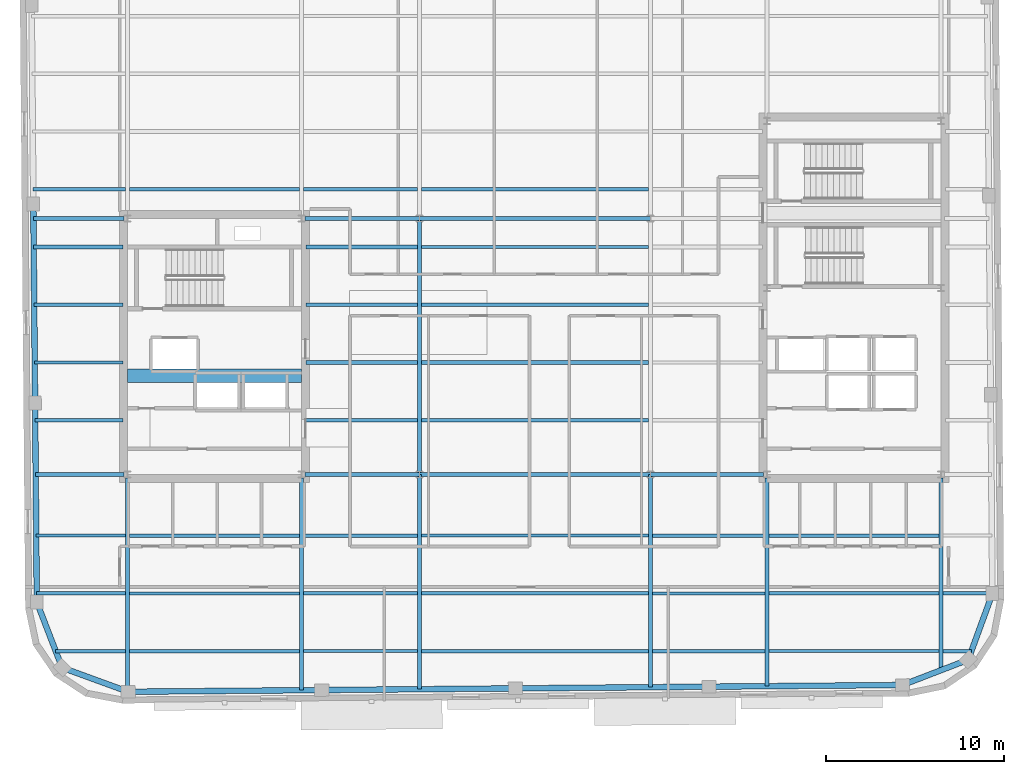
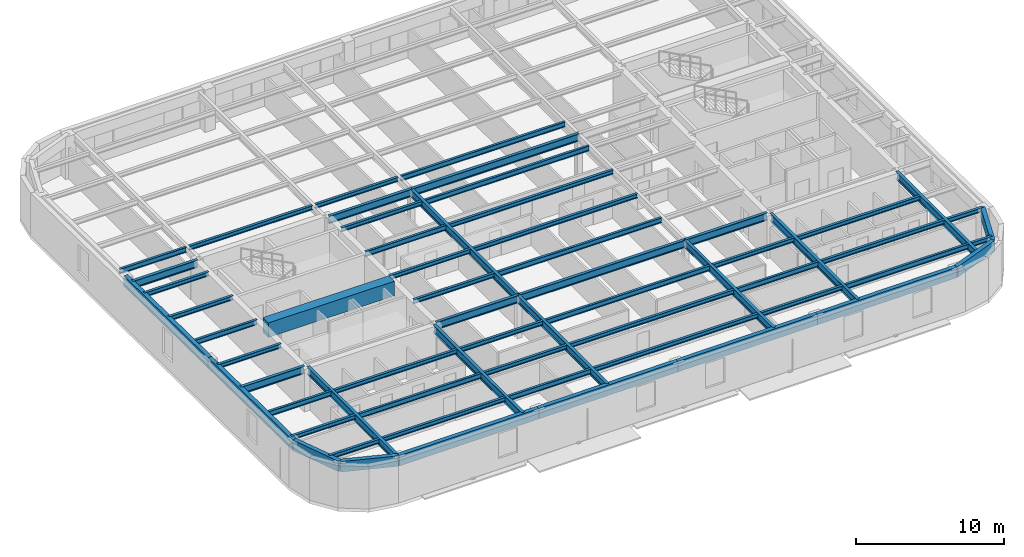
# One storey, part 4 of 13: 61 beams.
"""IFC4 building model written with IfcOpenShell, lengths in metres."""

from ifc_helpers import new_model, si_unit, direction, frame, origin, origin_2d, place, context, subcontext, project, spatial, rectangle, hollow_rectangle, i_section, extrude, material, material_profile, profile_set, type_object, element, save


model = new_model("IFC4")

# Units and contexts
model_context = context("Model", 3, precision=1e-05, world=origin(), true_north=direction((0.0, 1.0)))
body_context = subcontext(model_context, "Body", "Model", "MODEL_VIEW")
ifc_project = project(units=[si_unit("LENGTHUNIT", "METRE"), si_unit("AREAUNIT", "SQUARE_METRE"), si_unit("VOLUMEUNIT", "CUBIC_METRE"), si_unit("PLANEANGLEUNIT", "RADIAN"), si_unit("MASSUNIT", "GRAM", prefix="KILO")], contexts=[model_context])

# Site, building, storey
site_placement = place(None, origin())
site = spatial("IfcSite", under=ifc_project, at=site_placement, CompositionType="ELEMENT")
building_placement = place(site_placement, origin())
building = spatial("IfcBuilding", under=site, at=building_placement, Name="Kolvaren Arena Tower", CompositionType="ELEMENT")
storey_placement = place(building_placement, frame((0.0, 0.0, 301.14990234375)))
storey = spatial("IfcBuildingStorey", under=building, at=storey_placement, Name="L74", CompositionType="ELEMENT", Elevation=301.14990234375)

# Beams
ifc_material_1 = material(Name="Steel CSA G40.21 350W", Category="steel")
ifc_material_profile_1 = material_profile(ifc_material_1, i_section(OverallWidth=0.180908203125, OverallDepth=0.4169921875, WebThickness=0.010986328125, FlangeThickness=0.018310546875, FilletRadius=0.011962890625, at=origin_2d()), Name="W410x85")
ifc_profile_set_1 = profile_set([ifc_material_profile_1], Name="Steel CSA G40.21 350W")
beam_type_1 = type_object("IfcBeamType", Name="BEAM-F3", PredefinedType="BEAM", material=ifc_profile_set_1)
beam_1_placement = place(storey_placement, frame((24.464111328125, 9.5, 3.271484375), z_axis=(1.0, 0.0, 0.0), x_axis=(0.0, 1.0, 0.0)))
element("IfcBeam", 1, at=beam_1_placement, inside=storey, type_object=beam_type_1, Name="Composite Floor Beam (L74)", PredefinedType="BEAM", context=body_context, shape_type="SweptSolid", body=[
    extrude(i_section(OverallWidth=0.180908203125, OverallDepth=0.4169921875, WebThickness=0.010986328125, FlangeThickness=0.018310546875, FilletRadius=0.011962890625, at=origin_2d()), origin(), (0.0, 0.0, 1.0), 6.421875),
])
for number, where, z_axis, x_axis, name in (
    (2, (50.6640625, 9.5, 3.271484375), (1.0, 0.0, 0.0), (0.0, 1.0, 0.0), "Composite Floor Beam (L74)"),
    (3, (14.6640625, 12.75, 3.271484375), (1.0, 0.0, 0.0), (0.0, 1.0, 0.0), "Composite Floor Beam (L74)"),
):
    element("IfcBeam", number, at=place(storey_placement, frame(where, z_axis=z_axis, x_axis=x_axis)), inside=storey, type_object=beam_type_1, Name=name, PredefinedType="BEAM", context=body_context, shape_type="SweptSolid", body=[
        extrude(i_section(OverallWidth=0.180908203125, OverallDepth=0.4169921875, WebThickness=0.010986328125, FlangeThickness=0.018310546875, FilletRadius=0.011962890625, at=origin_2d()), origin(), (0.0, 0.0, 1.0), 9.572021484375),
    ])
beam_2_placement = place(storey_placement, frame((44.114013671875, 12.75, 3.271484375), z_axis=(1.0, 0.0, 0.0), x_axis=(0.0, 1.0, 0.0)))
element("IfcBeam", 4, at=beam_2_placement, inside=storey, type_object=beam_type_1, Name="Composite Floor Beam (L74)", PredefinedType="BEAM", context=body_context, shape_type="SweptSolid", body=[
    extrude(i_section(OverallWidth=0.180908203125, OverallDepth=0.4169921875, WebThickness=0.010986328125, FlangeThickness=0.018310546875, FilletRadius=0.011962890625, at=origin_2d()), origin(), (0.0, 0.0, 1.0), 6.322021484375),
])
beam_3_placement = place(storey_placement, frame((9.4150390625, 16.0, 3.271484375), z_axis=(1.0, 0.0, 0.0), x_axis=(0.0, 1.0, 0.0)))
element("IfcBeam", 5, at=beam_3_placement, inside=storey, type_object=beam_type_1, Name="Composite Floor Beam (L74)", PredefinedType="BEAM", context=body_context, shape_type="SweptSolid", body=[
    extrude(i_section(OverallWidth=0.180908203125, OverallDepth=0.4169921875, WebThickness=0.010986328125, FlangeThickness=0.018310546875, FilletRadius=0.011962890625, at=origin_2d()), origin(), (0.0, 0.0, 1.0), 5.02099609375),
])
for number, where, z_axis, x_axis, name in (
    (6, (31.114013671875, 16.0, 3.271484375), (1.0, 0.0, 0.0), (0.0, 1.0, 0.0), "Composite Floor Beam (L74)"),
    (7, (31.114013671875, 22.5, 3.271484375), (1.0, 0.0, 0.0), (0.0, 1.0, 0.0), "Composite Floor Beam (L74)"),
):
    element("IfcBeam", number, at=place(storey_placement, frame(where, z_axis=z_axis, x_axis=x_axis)), inside=storey, type_object=beam_type_1, Name=name, PredefinedType="BEAM", context=body_context, shape_type="SweptSolid", body=[
        extrude(i_section(OverallWidth=0.180908203125, OverallDepth=0.4169921875, WebThickness=0.010986328125, FlangeThickness=0.018310546875, FilletRadius=0.011962890625, at=origin_2d()), origin(), (0.0, 0.0, 1.0), 12.77197265625),
    ])
beam_4_placement = place(storey_placement, frame((9.330078125, 25.75, 3.271484375), z_axis=(1.0, 0.0, 0.0), x_axis=(0.0, 1.0, 0.0)))
element("IfcBeam", 8, at=beam_4_placement, inside=storey, type_object=beam_type_1, Name="Composite Floor Beam (L74)", PredefinedType="BEAM", context=body_context, shape_type="SweptSolid", body=[
    extrude(i_section(OverallWidth=0.180908203125, OverallDepth=0.4169921875, WebThickness=0.010986328125, FlangeThickness=0.018310546875, FilletRadius=0.011962890625, at=origin_2d()), origin(), (0.0, 0.0, 1.0), 4.974853515625),
])
beam_5_placement = place(storey_placement, frame((24.594970703125, 29.0, 3.271484375), z_axis=(1.0, 0.0, 0.0), x_axis=(0.0, 1.0, 0.0)))
element("IfcBeam", 9, at=beam_5_placement, inside=storey, type_object=beam_type_1, Name="Composite Floor Beam (L74)", PredefinedType="BEAM", context=body_context, shape_type="SweptSolid", body=[
    extrude(i_section(OverallWidth=0.180908203125, OverallDepth=0.4169921875, WebThickness=0.010986328125, FlangeThickness=0.018310546875, FilletRadius=0.011962890625, at=origin_2d()), origin(), (0.0, 0.0, 1.0), 6.291015625),
])
beam_6_placement = place(storey_placement, frame((31.114013671875, 32.25, 3.271484375), z_axis=(1.0, 0.0, 0.0), x_axis=(0.0, 1.0, 0.0)))
element("IfcBeam", 10, at=beam_6_placement, inside=storey, type_object=beam_type_1, Name="Composite Floor Beam (L74)", PredefinedType="BEAM", context=body_context, shape_type="SweptSolid", body=[
    extrude(i_section(OverallWidth=0.180908203125, OverallDepth=0.4169921875, WebThickness=0.010986328125, FlangeThickness=0.018310546875, FilletRadius=0.011962890625, at=origin_2d()), origin(), (0.0, 0.0, 1.0), 12.77197265625),
])
beam_7_placement = place(storey_placement, frame((9.244873046875, 35.5, 3.271484375), z_axis=(1.0, 0.0, 0.0), x_axis=(0.0, 1.0, 0.0)))
element("IfcBeam", 11, at=beam_7_placement, inside=storey, type_object=beam_type_1, Name="Composite Floor Beam (L74)", PredefinedType="BEAM", context=body_context, shape_type="SweptSolid", body=[
    extrude(i_section(OverallWidth=0.180908203125, OverallDepth=0.4169921875, WebThickness=0.010986328125, FlangeThickness=0.018310546875, FilletRadius=0.011962890625, at=origin_2d()), origin(), (0.0, 0.0, 1.0), 5.191162109375),
])
beam_8_placement = place(storey_placement, frame((31.114013671875, 35.5, 3.271484375), z_axis=(1.0, 0.0, 0.0), x_axis=(0.0, 1.0, 0.0)))
element("IfcBeam", 12, at=beam_8_placement, inside=storey, type_object=beam_type_1, Name="Composite Floor Beam (L74)", PredefinedType="BEAM", context=body_context, shape_type="SweptSolid", body=[
    extrude(i_section(OverallWidth=0.180908203125, OverallDepth=0.4169921875, WebThickness=0.010986328125, FlangeThickness=0.018310546875, FilletRadius=0.011962890625, at=origin_2d()), origin(), (0.0, 0.0, 1.0), 12.77197265625),
])
ifc_material_2 = material(Name="Concrete 60 MPa", Category="concrete")
ifc_material_profile_2 = material_profile(ifc_material_2, rectangle(XDim=0.75, YDim=1.199951171875, at=origin_2d()), Name="RC-750x1200")
ifc_profile_set_2 = profile_set([ifc_material_profile_2], Name="Concrete 60 MPa")
beam_type_2 = type_object("IfcBeamType", Name="CB-CORE-2", PredefinedType="BEAM", material=ifc_profile_set_2)
beam_9_placement = place(storey_placement, frame((14.550048828125, 25.0, 3.150146484375), z_axis=(1.0, 0.0, 0.0), x_axis=(0.0, 1.0, 0.0)))
element("IfcBeam", 13, at=beam_9_placement, inside=storey, type_object=beam_type_2, Name="West Core Coupling Beam (L74)", PredefinedType="BEAM", context=body_context, shape_type="SweptSolid", body=[
    extrude(rectangle(XDim=0.75, YDim=1.199951171875, at=origin_2d()), origin(), (0.0, 0.0, 1.0), 9.800048828125),
])
ifc_material_profile_3 = material_profile(ifc_material_1, i_section(OverallWidth=0.22802734375, OverallDepth=0.615966796875, WebThickness=0.013916015625, FlangeThickness=0.02490234375, FilletRadius=0.014892578125, at=origin_2d()), Name="W610x174")
ifc_profile_set_3 = profile_set([ifc_material_profile_3], Name="Steel CSA G40.21 350W")
beam_type_3 = type_object("IfcBeamType", Name="GIRD-T3", PredefinedType="BEAM", material=ifc_profile_set_3)
beam_10_placement = place(storey_placement, frame((9.385009765625, 19.449951171875, 3.172119140625), z_axis=(1.0, 0.0, 0.0), x_axis=(0.0, 1.0, 0.0)))
element("IfcBeam", 14, at=beam_10_placement, inside=storey, type_object=beam_type_3, Name="Primary Floor Girder (L74)", PredefinedType="BEAM", context=body_context, shape_type="SweptSolid", body=[
    extrude(i_section(OverallWidth=0.22802734375, OverallDepth=0.615966796875, WebThickness=0.013916015625, FlangeThickness=0.02490234375, FilletRadius=0.014892578125, at=origin_2d()), origin(), (0.0, 0.0, 1.0), 4.9599609375),
])
beam_11_placement = place(storey_placement, frame((24.554931640625, 19.449951171875, 3.172119140625), z_axis=(1.0, 0.0, 0.0), x_axis=(0.0, 1.0, 0.0)))
element("IfcBeam", 15, at=beam_11_placement, inside=storey, type_object=beam_type_3, Name="Primary Floor Girder (L74)", PredefinedType="BEAM", context=body_context, shape_type="SweptSolid", body=[
    extrude(i_section(OverallWidth=0.22802734375, OverallDepth=0.615966796875, WebThickness=0.013916015625, FlangeThickness=0.02490234375, FilletRadius=0.014892578125, at=origin_2d()), origin(), (0.0, 0.0, 1.0), 6.445068359375),
])
beam_12_placement = place(storey_placement, frame((31.0, 19.449951171875, 3.172119140625), z_axis=(1.0, 0.0, 0.0), x_axis=(0.0, 1.0, 0.0)))
element("IfcBeam", 16, at=beam_12_placement, inside=storey, type_object=beam_type_3, Name="Primary Floor Girder (L74)", PredefinedType="BEAM", context=body_context, shape_type="SweptSolid", body=[
    extrude(i_section(OverallWidth=0.22802734375, OverallDepth=0.615966796875, WebThickness=0.013916015625, FlangeThickness=0.02490234375, FilletRadius=0.014892578125, at=origin_2d()), origin(), (0.0, 0.0, 1.0), 13.0),
])
beam_13_placement = place(storey_placement, frame((44.0, 19.449951171875, 3.172119140625), z_axis=(1.0, 0.0, 0.0), x_axis=(0.0, 1.0, 0.0)))
element("IfcBeam", 17, at=beam_13_placement, inside=storey, type_object=beam_type_3, Name="Primary Floor Girder (L74)", PredefinedType="BEAM", context=body_context, shape_type="SweptSolid", body=[
    extrude(i_section(OverallWidth=0.22802734375, OverallDepth=0.615966796875, WebThickness=0.013916015625, FlangeThickness=0.02490234375, FilletRadius=0.014892578125, at=origin_2d()), origin(), (0.0, 0.0, 1.0), 6.344970703125),
])
beam_14_placement = place(storey_placement, frame((9.25927734375, 33.85009765625, 3.172119140625), z_axis=(1.0, 0.0, 0.0), x_axis=(0.0, 1.0, 0.0)))
element("IfcBeam", 18, at=beam_14_placement, inside=storey, type_object=beam_type_3, Name="Primary Floor Girder (L74)", PredefinedType="BEAM", context=body_context, shape_type="SweptSolid", body=[
    extrude(i_section(OverallWidth=0.22802734375, OverallDepth=0.615966796875, WebThickness=0.013916015625, FlangeThickness=0.02490234375, FilletRadius=0.014892578125, at=origin_2d()), origin(), (0.0, 0.0, 1.0), 5.085693359375),
])
beam_15_placement = place(storey_placement, frame((24.554931640625, 33.85009765625, 3.172119140625), z_axis=(1.0, 0.0, 0.0), x_axis=(0.0, 1.0, 0.0)))
element("IfcBeam", 19, at=beam_15_placement, inside=storey, type_object=beam_type_3, Name="Primary Floor Girder (L74)", PredefinedType="BEAM", context=body_context, shape_type="SweptSolid", body=[
    extrude(i_section(OverallWidth=0.22802734375, OverallDepth=0.615966796875, WebThickness=0.013916015625, FlangeThickness=0.02490234375, FilletRadius=0.014892578125, at=origin_2d()), origin(), (0.0, 0.0, 1.0), 6.445068359375),
])
beam_16_placement = place(storey_placement, frame((31.0, 33.85009765625, 3.172119140625), z_axis=(1.0, 0.0, 0.0), x_axis=(0.0, 1.0, 0.0)))
element("IfcBeam", 20, at=beam_16_placement, inside=storey, type_object=beam_type_3, Name="Primary Floor Girder (L74)", PredefinedType="BEAM", context=body_context, shape_type="SweptSolid", body=[
    extrude(i_section(OverallWidth=0.22802734375, OverallDepth=0.615966796875, WebThickness=0.013916015625, FlangeThickness=0.02490234375, FilletRadius=0.014892578125, at=origin_2d()), origin(), (0.0, 0.0, 1.0), 13.0),
])
beam_17_placement = place(storey_placement, frame((14.550048828125, 7.225830078125, 3.172119140625), z_axis=(0.0, 1.0, 0.0), x_axis=(-1.0, 0.0, 0.0)))
element("IfcBeam", 21, at=beam_17_placement, inside=storey, type_object=beam_type_3, Name="Primary Floor Girder (L74)", PredefinedType="BEAM", context=body_context, shape_type="SweptSolid", body=[
    extrude(i_section(OverallWidth=0.22802734375, OverallDepth=0.615966796875, WebThickness=0.013916015625, FlangeThickness=0.02490234375, FilletRadius=0.014892578125, at=origin_2d()), origin(), (0.0, 0.0, 1.0), 12.019287109375),
])
beam_18_placement = place(storey_placement, frame((24.35009765625, 7.295654296875, 3.172119140625), z_axis=(0.0, 1.0, 0.0), x_axis=(-1.0, 0.0, 0.0)))
element("IfcBeam", 22, at=beam_18_placement, inside=storey, type_object=beam_type_3, Name="Primary Floor Girder (L74)", PredefinedType="BEAM", context=body_context, shape_type="SweptSolid", body=[
    extrude(i_section(OverallWidth=0.22802734375, OverallDepth=0.615966796875, WebThickness=0.013916015625, FlangeThickness=0.02490234375, FilletRadius=0.014892578125, at=origin_2d()), origin(), (0.0, 0.0, 1.0), 11.949462890625),
])
beam_19_placement = place(storey_placement, frame((31.0, 7.353759765625, 3.172119140625), z_axis=(0.0, 1.0, 0.0), x_axis=(-1.0, 0.0, 0.0)))
element("IfcBeam", 23, at=beam_19_placement, inside=storey, type_object=beam_type_3, Name="Primary Floor Girder (L74)", PredefinedType="BEAM", context=body_context, shape_type="SweptSolid", body=[
    extrude(i_section(OverallWidth=0.22802734375, OverallDepth=0.615966796875, WebThickness=0.013916015625, FlangeThickness=0.02490234375, FilletRadius=0.014892578125, at=origin_2d()), origin(), (0.0, 0.0, 1.0), 12.09619140625),
])
beam_20_placement = place(storey_placement, frame((31.0, 19.449951171875, 3.172119140625), z_axis=(0.0, 1.0, 0.0), x_axis=(-1.0, 0.0, 0.0)))
element("IfcBeam", 24, at=beam_20_placement, inside=storey, type_object=beam_type_3, Name="Primary Floor Girder (L74)", PredefinedType="BEAM", context=body_context, shape_type="SweptSolid", body=[
    extrude(i_section(OverallWidth=0.22802734375, OverallDepth=0.615966796875, WebThickness=0.013916015625, FlangeThickness=0.02490234375, FilletRadius=0.014892578125, at=origin_2d()), origin(), (0.0, 0.0, 1.0), 14.400146484375),
])
beam_21_placement = place(storey_placement, frame((44.0, 7.46728515625, 3.172119140625), z_axis=(0.0, 1.0, 0.0), x_axis=(-1.0, 0.0, 0.0)))
element("IfcBeam", 25, at=beam_21_placement, inside=storey, type_object=beam_type_3, Name="Primary Floor Girder (L74)", PredefinedType="BEAM", context=body_context, shape_type="SweptSolid", body=[
    extrude(i_section(OverallWidth=0.22802734375, OverallDepth=0.615966796875, WebThickness=0.013916015625, FlangeThickness=0.02490234375, FilletRadius=0.014892578125, at=origin_2d()), origin(), (0.0, 0.0, 1.0), 11.982666015625),
])
beam_22_placement = place(storey_placement, frame((50.550048828125, 7.5244140625, 3.172119140625), z_axis=(0.0, 1.0, 0.0), x_axis=(-1.0, 0.0, 0.0)))
element("IfcBeam", 26, at=beam_22_placement, inside=storey, type_object=beam_type_3, Name="Primary Floor Girder (L74)", PredefinedType="BEAM", context=body_context, shape_type="SweptSolid", body=[
    extrude(i_section(OverallWidth=0.22802734375, OverallDepth=0.615966796875, WebThickness=0.013916015625, FlangeThickness=0.02490234375, FilletRadius=0.014892578125, at=origin_2d()), origin(), (0.0, 0.0, 1.0), 11.720703125),
])
beam_23_placement = place(storey_placement, frame((60.35009765625, 8.4228515625, 3.172119140625), z_axis=(0.0, 1.0, 0.0), x_axis=(-1.0, 0.0, 0.0)))
element("IfcBeam", 27, at=beam_23_placement, inside=storey, type_object=beam_type_3, Name="Primary Floor Girder (L74)", PredefinedType="BEAM", context=body_context, shape_type="SweptSolid", body=[
    extrude(i_section(OverallWidth=0.22802734375, OverallDepth=0.615966796875, WebThickness=0.013916015625, FlangeThickness=0.02490234375, FilletRadius=0.014892578125, at=origin_2d()), origin(), (0.0, 0.0, 1.0), 10.822265625),
])
ifc_material_profile_4 = material_profile(ifc_material_1, i_section(OverallWidth=0.202880859375, OverallDepth=0.346923828125, WebThickness=0.0078125, FlangeThickness=0.013427734375, FilletRadius=0.010986328125, at=origin_2d()), Name="W360x64")
ifc_profile_set_4 = profile_set([ifc_material_profile_4], Name="Steel CSA G40.21 350W")
beam_type_4 = type_object("IfcBeamType", Name="JOIST-01", PredefinedType="JOIST", material=ifc_profile_set_4)
beam_24_placement = place(storey_placement, frame((10.5126953125, 9.5, 3.306640625), z_axis=(1.0, 0.0, 0.0), x_axis=(0.0, 1.0, 0.0)))
element("IfcBeam", 28, at=beam_24_placement, inside=storey, type_object=beam_type_4, Name="Composite Floor Joist (L74)", PredefinedType="JOIST", context=body_context, shape_type="SweptSolid", body=[
    extrude(i_section(OverallWidth=0.202880859375, OverallDepth=0.346923828125, WebThickness=0.0078125, FlangeThickness=0.013427734375, FilletRadius=0.010986328125, at=origin_2d()), origin(), (0.0, 0.0, 1.0), 3.92333984375),
])
beam_25_placement = place(storey_placement, frame((14.6640625, 9.5, 3.306640625), z_axis=(1.0, 0.0, 0.0), x_axis=(0.0, 1.0, 0.0)))
element("IfcBeam", 29, at=beam_25_placement, inside=storey, type_object=beam_type_4, Name="Composite Floor Joist (L74)", PredefinedType="JOIST", context=body_context, shape_type="SweptSolid", body=[
    extrude(i_section(OverallWidth=0.202880859375, OverallDepth=0.346923828125, WebThickness=0.0078125, FlangeThickness=0.013427734375, FilletRadius=0.010986328125, at=origin_2d()), origin(), (0.0, 0.0, 1.0), 9.572021484375),
])
beam_26_placement = place(storey_placement, frame((31.114013671875, 9.5, 3.306640625), z_axis=(1.0, 0.0, 0.0), x_axis=(0.0, 1.0, 0.0)))
element("IfcBeam", 30, at=beam_26_placement, inside=storey, type_object=beam_type_4, Name="Composite Floor Joist (L74)", PredefinedType="JOIST", context=body_context, shape_type="SweptSolid", body=[
    extrude(i_section(OverallWidth=0.202880859375, OverallDepth=0.346923828125, WebThickness=0.0078125, FlangeThickness=0.013427734375, FilletRadius=0.010986328125, at=origin_2d()), origin(), (0.0, 0.0, 1.0), 12.77197265625),
])
beam_27_placement = place(storey_placement, frame((44.114013671875, 9.5, 3.306640625), z_axis=(1.0, 0.0, 0.0), x_axis=(0.0, 1.0, 0.0)))
element("IfcBeam", 31, at=beam_27_placement, inside=storey, type_object=beam_type_4, Name="Composite Floor Joist (L74)", PredefinedType="JOIST", context=body_context, shape_type="SweptSolid", body=[
    extrude(i_section(OverallWidth=0.202880859375, OverallDepth=0.346923828125, WebThickness=0.0078125, FlangeThickness=0.013427734375, FilletRadius=0.010986328125, at=origin_2d()), origin(), (0.0, 0.0, 1.0), 6.322021484375),
])
beam_28_placement = place(storey_placement, frame((60.464111328125, 9.5, 3.306640625), z_axis=(1.0, 0.0, 0.0), x_axis=(0.0, 1.0, 0.0)))
element("IfcBeam", 32, at=beam_28_placement, inside=storey, type_object=beam_type_4, Name="Composite Floor Joist (L74)", PredefinedType="JOIST", context=body_context, shape_type="SweptSolid", body=[
    extrude(i_section(OverallWidth=0.202880859375, OverallDepth=0.346923828125, WebThickness=0.0078125, FlangeThickness=0.013427734375, FilletRadius=0.010986328125, at=origin_2d()), origin(), (0.0, 0.0, 1.0), 1.60009765625),
])
beam_29_placement = place(storey_placement, frame((9.443359375, 12.75, 3.306640625), z_axis=(1.0, 0.0, 0.0), x_axis=(0.0, 1.0, 0.0)))
element("IfcBeam", 33, at=beam_29_placement, inside=storey, type_object=beam_type_4, Name="Composite Floor Joist (L74)", PredefinedType="JOIST", context=body_context, shape_type="SweptSolid", body=[
    extrude(i_section(OverallWidth=0.202880859375, OverallDepth=0.346923828125, WebThickness=0.0078125, FlangeThickness=0.013427734375, FilletRadius=0.010986328125, at=origin_2d()), origin(), (0.0, 0.0, 1.0), 4.99267578125),
])
beam_30_placement = place(storey_placement, frame((24.464111328125, 12.75, 3.306640625), z_axis=(1.0, 0.0, 0.0), x_axis=(0.0, 1.0, 0.0)))
element("IfcBeam", 34, at=beam_30_placement, inside=storey, type_object=beam_type_4, Name="Composite Floor Joist (L74)", PredefinedType="JOIST", context=body_context, shape_type="SweptSolid", body=[
    extrude(i_section(OverallWidth=0.202880859375, OverallDepth=0.346923828125, WebThickness=0.0078125, FlangeThickness=0.013427734375, FilletRadius=0.010986328125, at=origin_2d()), origin(), (0.0, 0.0, 1.0), 6.421875),
])
beam_31_placement = place(storey_placement, frame((31.114013671875, 12.75, 3.306640625), z_axis=(1.0, 0.0, 0.0), x_axis=(0.0, 1.0, 0.0)))
element("IfcBeam", 35, at=beam_31_placement, inside=storey, type_object=beam_type_4, Name="Composite Floor Joist (L74)", PredefinedType="JOIST", context=body_context, shape_type="SweptSolid", body=[
    extrude(i_section(OverallWidth=0.202880859375, OverallDepth=0.346923828125, WebThickness=0.0078125, FlangeThickness=0.013427734375, FilletRadius=0.010986328125, at=origin_2d()), origin(), (0.0, 0.0, 1.0), 12.77197265625),
])
beam_32_placement = place(storey_placement, frame((50.6640625, 12.75, 3.306640625), z_axis=(1.0, 0.0, 0.0), x_axis=(0.0, 1.0, 0.0)))
element("IfcBeam", 36, at=beam_32_placement, inside=storey, type_object=beam_type_4, Name="Composite Floor Joist (L74)", PredefinedType="JOIST", context=body_context, shape_type="SweptSolid", body=[
    extrude(i_section(OverallWidth=0.202880859375, OverallDepth=0.346923828125, WebThickness=0.0078125, FlangeThickness=0.013427734375, FilletRadius=0.010986328125, at=origin_2d()), origin(), (0.0, 0.0, 1.0), 9.572021484375),
])
beam_33_placement = place(storey_placement, frame((60.464111328125, 12.75, 3.306640625), z_axis=(1.0, 0.0, 0.0), x_axis=(0.0, 1.0, 0.0)))
element("IfcBeam", 37, at=beam_33_placement, inside=storey, type_object=beam_type_4, Name="Composite Floor Joist (L74)", PredefinedType="JOIST", context=body_context, shape_type="SweptSolid", body=[
    extrude(i_section(OverallWidth=0.202880859375, OverallDepth=0.346923828125, WebThickness=0.0078125, FlangeThickness=0.013427734375, FilletRadius=0.010986328125, at=origin_2d()), origin(), (0.0, 0.0, 1.0), 2.781494140625),
])
beam_34_placement = place(storey_placement, frame((14.6640625, 16.0, 3.306640625), z_axis=(1.0, 0.0, 0.0), x_axis=(0.0, 1.0, 0.0)))
element("IfcBeam", 38, at=beam_34_placement, inside=storey, type_object=beam_type_4, Name="Composite Floor Joist (L74)", PredefinedType="JOIST", context=body_context, shape_type="SweptSolid", body=[
    extrude(i_section(OverallWidth=0.202880859375, OverallDepth=0.346923828125, WebThickness=0.0078125, FlangeThickness=0.013427734375, FilletRadius=0.010986328125, at=origin_2d()), origin(), (0.0, 0.0, 1.0), 9.572021484375),
])
beam_35_placement = place(storey_placement, frame((24.464111328125, 16.0, 3.306640625), z_axis=(1.0, 0.0, 0.0), x_axis=(0.0, 1.0, 0.0)))
element("IfcBeam", 39, at=beam_35_placement, inside=storey, type_object=beam_type_4, Name="Composite Floor Joist (L74)", PredefinedType="JOIST", context=body_context, shape_type="SweptSolid", body=[
    extrude(i_section(OverallWidth=0.202880859375, OverallDepth=0.346923828125, WebThickness=0.0078125, FlangeThickness=0.013427734375, FilletRadius=0.010986328125, at=origin_2d()), origin(), (0.0, 0.0, 1.0), 6.421875),
])
beam_36_placement = place(storey_placement, frame((44.114013671875, 16.0, 3.306640625), z_axis=(1.0, 0.0, 0.0), x_axis=(0.0, 1.0, 0.0)))
element("IfcBeam", 40, at=beam_36_placement, inside=storey, type_object=beam_type_4, Name="Composite Floor Joist (L74)", PredefinedType="JOIST", context=body_context, shape_type="SweptSolid", body=[
    extrude(i_section(OverallWidth=0.202880859375, OverallDepth=0.346923828125, WebThickness=0.0078125, FlangeThickness=0.013427734375, FilletRadius=0.010986328125, at=origin_2d()), origin(), (0.0, 0.0, 1.0), 6.322021484375),
])
beam_37_placement = place(storey_placement, frame((50.6640625, 16.0, 3.306640625), z_axis=(1.0, 0.0, 0.0), x_axis=(0.0, 1.0, 0.0)))
element("IfcBeam", 41, at=beam_37_placement, inside=storey, type_object=beam_type_4, Name="Composite Floor Joist (L74)", PredefinedType="JOIST", context=body_context, shape_type="SweptSolid", body=[
    extrude(i_section(OverallWidth=0.202880859375, OverallDepth=0.346923828125, WebThickness=0.0078125, FlangeThickness=0.013427734375, FilletRadius=0.010986328125, at=origin_2d()), origin(), (0.0, 0.0, 1.0), 9.572021484375),
])
beam_38_placement = place(storey_placement, frame((9.3583984375, 22.5, 3.306640625), z_axis=(1.0, 0.0, 0.0), x_axis=(0.0, 1.0, 0.0)))
element("IfcBeam", 42, at=beam_38_placement, inside=storey, type_object=beam_type_4, Name="Composite Floor Joist (L74)", PredefinedType="JOIST", context=body_context, shape_type="SweptSolid", body=[
    extrude(i_section(OverallWidth=0.202880859375, OverallDepth=0.346923828125, WebThickness=0.0078125, FlangeThickness=0.013427734375, FilletRadius=0.010986328125, at=origin_2d()), origin(), (0.0, 0.0, 1.0), 4.946533203125),
])
for number, where, z_axis, x_axis, name in (
    (43, (24.594970703125, 22.5, 3.306640625), (1.0, 0.0, 0.0), (0.0, 1.0, 0.0), "Composite Floor Joist (L74)"),
    (44, (24.594970703125, 25.75, 3.306640625), (1.0, 0.0, 0.0), (0.0, 1.0, 0.0), "Composite Floor Joist (L74)"),
):
    element("IfcBeam", number, at=place(storey_placement, frame(where, z_axis=z_axis, x_axis=x_axis)), inside=storey, type_object=beam_type_4, Name=name, PredefinedType="JOIST", context=body_context, shape_type="SweptSolid", body=[
        extrude(i_section(OverallWidth=0.202880859375, OverallDepth=0.346923828125, WebThickness=0.0078125, FlangeThickness=0.013427734375, FilletRadius=0.010986328125, at=origin_2d()), origin(), (0.0, 0.0, 1.0), 6.291015625),
    ])
beam_39_placement = place(storey_placement, frame((31.114013671875, 25.75, 3.306640625), z_axis=(1.0, 0.0, 0.0), x_axis=(0.0, 1.0, 0.0)))
element("IfcBeam", 45, at=beam_39_placement, inside=storey, type_object=beam_type_4, Name="Composite Floor Joist (L74)", PredefinedType="JOIST", context=body_context, shape_type="SweptSolid", body=[
    extrude(i_section(OverallWidth=0.202880859375, OverallDepth=0.346923828125, WebThickness=0.0078125, FlangeThickness=0.013427734375, FilletRadius=0.010986328125, at=origin_2d()), origin(), (0.0, 0.0, 1.0), 12.77197265625),
])
beam_40_placement = place(storey_placement, frame((9.301513671875, 29.0, 3.306640625), z_axis=(1.0, 0.0, 0.0), x_axis=(0.0, 1.0, 0.0)))
element("IfcBeam", 46, at=beam_40_placement, inside=storey, type_object=beam_type_4, Name="Composite Floor Joist (L74)", PredefinedType="JOIST", context=body_context, shape_type="SweptSolid", body=[
    extrude(i_section(OverallWidth=0.202880859375, OverallDepth=0.346923828125, WebThickness=0.0078125, FlangeThickness=0.013427734375, FilletRadius=0.010986328125, at=origin_2d()), origin(), (0.0, 0.0, 1.0), 5.00341796875),
])
beam_41_placement = place(storey_placement, frame((31.114013671875, 29.0, 3.306640625), z_axis=(1.0, 0.0, 0.0), x_axis=(0.0, 1.0, 0.0)))
element("IfcBeam", 47, at=beam_41_placement, inside=storey, type_object=beam_type_4, Name="Composite Floor Joist (L74)", PredefinedType="JOIST", context=body_context, shape_type="SweptSolid", body=[
    extrude(i_section(OverallWidth=0.202880859375, OverallDepth=0.346923828125, WebThickness=0.0078125, FlangeThickness=0.013427734375, FilletRadius=0.010986328125, at=origin_2d()), origin(), (0.0, 0.0, 1.0), 12.77197265625),
])
beam_42_placement = place(storey_placement, frame((9.273193359375, 32.25, 3.306640625), z_axis=(1.0, 0.0, 0.0), x_axis=(0.0, 1.0, 0.0)))
element("IfcBeam", 48, at=beam_42_placement, inside=storey, type_object=beam_type_4, Name="Composite Floor Joist (L74)", PredefinedType="JOIST", context=body_context, shape_type="SweptSolid", body=[
    extrude(i_section(OverallWidth=0.202880859375, OverallDepth=0.346923828125, WebThickness=0.0078125, FlangeThickness=0.013427734375, FilletRadius=0.010986328125, at=origin_2d()), origin(), (0.0, 0.0, 1.0), 5.03173828125),
])
beam_43_placement = place(storey_placement, frame((24.594970703125, 32.25, 3.306640625), z_axis=(1.0, 0.0, 0.0), x_axis=(0.0, 1.0, 0.0)))
element("IfcBeam", 49, at=beam_43_placement, inside=storey, type_object=beam_type_4, Name="Composite Floor Joist (L74)", PredefinedType="JOIST", context=body_context, shape_type="SweptSolid", body=[
    extrude(i_section(OverallWidth=0.202880859375, OverallDepth=0.346923828125, WebThickness=0.0078125, FlangeThickness=0.013427734375, FilletRadius=0.010986328125, at=origin_2d()), origin(), (0.0, 0.0, 1.0), 6.291015625),
])
beam_44_placement = place(storey_placement, frame((14.6640625, 35.5, 3.306640625), z_axis=(1.0, 0.0, 0.0), x_axis=(0.0, 1.0, 0.0)))
element("IfcBeam", 50, at=beam_44_placement, inside=storey, type_object=beam_type_4, Name="Composite Floor Joist (L74)", PredefinedType="JOIST", context=body_context, shape_type="SweptSolid", body=[
    extrude(i_section(OverallWidth=0.202880859375, OverallDepth=0.346923828125, WebThickness=0.0078125, FlangeThickness=0.013427734375, FilletRadius=0.010986328125, at=origin_2d()), origin(), (0.0, 0.0, 1.0), 9.572021484375),
])
beam_45_placement = place(storey_placement, frame((24.464111328125, 35.5, 3.306640625), z_axis=(1.0, 0.0, 0.0), x_axis=(0.0, 1.0, 0.0)))
element("IfcBeam", 51, at=beam_45_placement, inside=storey, type_object=beam_type_4, Name="Composite Floor Joist (L74)", PredefinedType="JOIST", context=body_context, shape_type="SweptSolid", body=[
    extrude(i_section(OverallWidth=0.202880859375, OverallDepth=0.346923828125, WebThickness=0.0078125, FlangeThickness=0.013427734375, FilletRadius=0.010986328125, at=origin_2d()), origin(), (0.0, 0.0, 1.0), 6.421875),
])
ifc_material_3 = material(Name="Steel CSA G40.21 350WT", Category="steel")
ifc_material_profile_5 = material_profile(ifc_material_3, hollow_rectangle(XDim=0.320068359375, YDim=0.860107421875, WallThickness=0.01806640625, at=origin_2d()), Name="HSS 860x320x18")
ifc_profile_set_5 = profile_set([ifc_material_profile_5], Name="Steel CSA G40.21 350WT")
beam_type_5 = type_object("IfcBeamType", Name="SPAND-02", PredefinedType="SPANDREL", material=ifc_profile_set_5)
for number, where, z_axis, x_axis, name in (
    (52, (14.591796875, 7.210693359375, 3.050048828125), (0.999962042393, 0.008712851036, 0.0), (-0.008712851036, 0.999962042393, 0.0), "Perimeter Spandrel Beam (L74)"),
    (53, (25.491455078125, 7.3056640625, 3.050048828125), (0.999961846999, 0.008735247404, 0.0), (-0.008735247404, 0.999961846999, 0.0), "Perimeter Spandrel Beam (L74)"),
    (54, (36.39111328125, 7.40087890625, 3.050048828125), (0.999961846999, 0.008735247404, 0.0), (-0.008735247404, 0.999961846999, 0.0), "Perimeter Spandrel Beam (L74)"),
):
    element("IfcBeam", number, at=place(storey_placement, frame(where, z_axis=z_axis, x_axis=x_axis)), inside=storey, type_object=beam_type_5, Name=name, PredefinedType="SPANDREL", context=body_context, shape_type="SweptSolid", body=[
        extrude(hollow_rectangle(XDim=0.320068359375, YDim=0.860107421875, WallThickness=0.01806640625, at=origin_2d()), origin(), (0.0, 0.0, 1.0), 10.900146484375),
    ])
beam_46_placement = place(storey_placement, frame((47.290771484375, 7.49609375, 3.050048828125), z_axis=(0.999962040693, 0.008713046184, 0.0), x_axis=(-0.008713046184, 0.999962040693, 0.0)))
element("IfcBeam", 55, at=beam_46_placement, inside=storey, type_object=beam_type_5, Name="Perimeter Spandrel Beam (L74)", PredefinedType="SPANDREL", context=body_context, shape_type="SweptSolid", body=[
    extrude(hollow_rectangle(XDim=0.320068359375, YDim=0.860107421875, WallThickness=0.01806640625, at=origin_2d()), origin(), (0.0, 0.0, 1.0), 10.89990234375),
])
for number, where, z_axis, x_axis, name in (
    (56, (58.190185546875, 7.591064453125, 3.050048828125), (0.933189846698, 0.359383792094, 0.0), (-0.359383792094, 0.933189846698, 0.0), "Perimeter Spandrel Beam (L74)"),
    (57, (61.88671875, 9.0146484375, 3.050048828125), (0.343059102458, 0.939313819882, 0.0), (-0.939313819882, 0.343059102458, 0.0), "Perimeter Spandrel Beam (L74)"),
):
    element("IfcBeam", number, at=place(storey_placement, frame(where, z_axis=z_axis, x_axis=x_axis)), inside=storey, type_object=beam_type_5, Name=name, PredefinedType="SPANDREL", context=body_context, shape_type="SweptSolid", body=[
        extrude(hollow_rectangle(XDim=0.320068359375, YDim=0.860107421875, WallThickness=0.01806640625, at=origin_2d()), origin(), (0.0, 0.0, 1.0), 3.961181640625),
    ])
beam_47_placement = place(storey_placement, frame((9.252197265625, 34.6650390625, 3.050048828125), z_axis=(0.008719394723, -0.999961985355, 0.0), x_axis=(0.999961985355, 0.008719394723, 0.0)))
element("IfcBeam", 58, at=beam_47_placement, inside=storey, type_object=beam_type_5, Name="Perimeter Spandrel Beam (L74)", PredefinedType="SPANDREL", context=body_context, shape_type="SweptSolid", body=[
    extrude(hollow_rectangle(XDim=0.320068359375, YDim=0.860107421875, WallThickness=0.01806640625, at=origin_2d()), origin(), (0.0, 0.0, 1.0), 11.199951171875),
])
beam_48_placement = place(storey_placement, frame((9.349853515625, 23.465576171875, 3.050048828125), z_axis=(0.008719204665, -0.999961987013, 0.0), x_axis=(0.999961987013, 0.008719204665, 0.0)))
element("IfcBeam", 59, at=beam_48_placement, inside=storey, type_object=beam_type_5, Name="Perimeter Spandrel Beam (L74)", PredefinedType="SPANDREL", context=body_context, shape_type="SweptSolid", body=[
    extrude(hollow_rectangle(XDim=0.320068359375, YDim=0.860107421875, WallThickness=0.01806640625, at=origin_2d()), origin(), (0.0, 0.0, 1.0), 11.2001953125),
])
beam_49_placement = place(storey_placement, frame((9.447509765625, 12.265869140625, 3.050048828125), z_axis=(0.359383792094, -0.933189846698, 0.0), x_axis=(0.933189846698, 0.359383792094, 0.0)))
element("IfcBeam", 60, at=beam_49_placement, inside=storey, type_object=beam_type_5, Name="Perimeter Spandrel Beam (L74)", PredefinedType="SPANDREL", context=body_context, shape_type="SweptSolid", body=[
    extrude(hollow_rectangle(XDim=0.320068359375, YDim=0.860107421875, WallThickness=0.01806640625, at=origin_2d()), origin(), (0.0, 0.0, 1.0), 3.961181640625),
])
beam_50_placement = place(storey_placement, frame((10.87109375, 8.5693359375, 3.050048828125), z_axis=(0.939333679924, -0.343004719736, 0.0), x_axis=(0.343004719736, 0.939333679924, 0.0)))
element("IfcBeam", 61, at=beam_50_placement, inside=storey, type_object=beam_type_5, Name="Perimeter Spandrel Beam (L74)", PredefinedType="SPANDREL", context=body_context, shape_type="SweptSolid", body=[
    extrude(hollow_rectangle(XDim=0.320068359375, YDim=0.860107421875, WallThickness=0.01806640625, at=origin_2d()), origin(), (0.0, 0.0, 1.0), 3.9609375),
])

save(model, "model.ifc")
